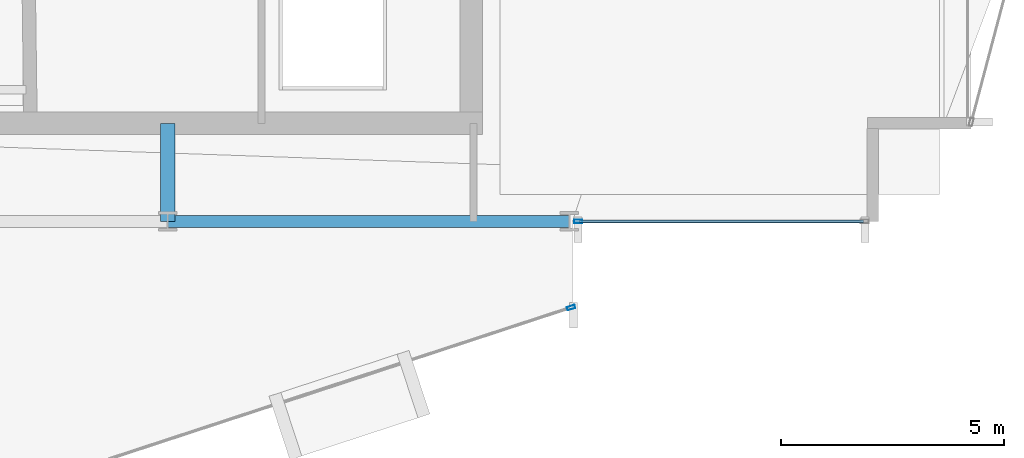
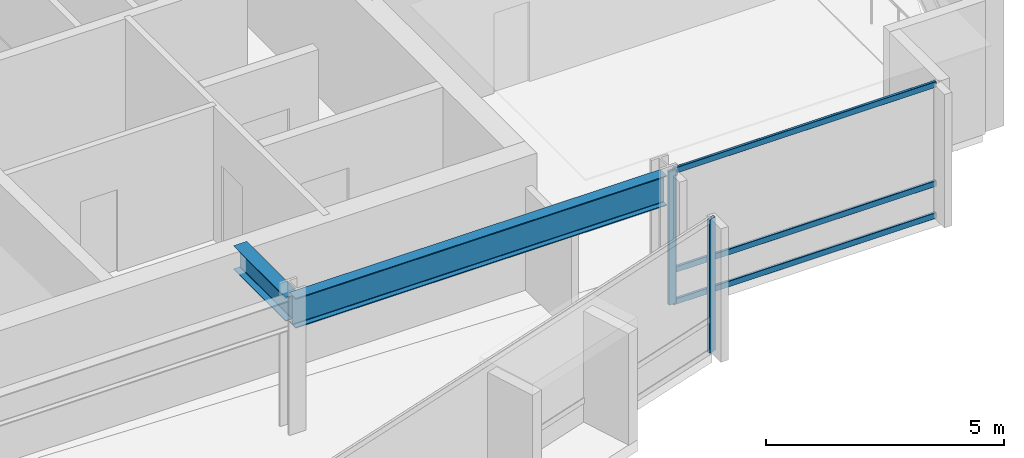
# One storey, part 10 of 28: 5 members, 2 beams, 2 elements without a shape of their own.
"""IFC4 building model written with IfcOpenShell, lengths in metres."""

from ifc_helpers import new_model, si_unit, direction, frame, origin, origin_2d, place, context, subcontext, project, spatial, hollow_rectangle, i_section, extrude, material, layer, layer_set, material_profile, profile_set, type_object, element, aggregate, save


model = new_model("IFC4")

# Units and contexts
model_context = context("Model", 3, precision=1e-05, world=origin(), true_north=direction((0.0, 1.0)))
body_context = subcontext(model_context, "Body", "Model", "MODEL_VIEW")
ifc_project = project(units=[si_unit("LENGTHUNIT", "METRE"), si_unit("AREAUNIT", "SQUARE_METRE"), si_unit("VOLUMEUNIT", "CUBIC_METRE"), si_unit("PLANEANGLEUNIT", "RADIAN"), si_unit("MASSUNIT", "GRAM", prefix="KILO")], contexts=[model_context])

# Site, building, storey
site_placement = place(None, origin())
site = spatial("IfcSite", under=ifc_project, at=site_placement, CompositionType="ELEMENT")
building_placement = place(site_placement, origin())
building = spatial("IfcBuilding", under=site, at=building_placement, Name="Solvaryn Broadcast Tower", CompositionType="ELEMENT")
storey_placement = place(building_placement, frame((0.0, 0.0, 150.699951171875)))
storey = spatial("IfcBuildingStorey", under=building, at=storey_placement, Name="L37", CompositionType="ELEMENT", Elevation=150.699951171875)

# Beams
ifc_material_1 = material(Name="Steel ASTM A992 Grade 50", Category="steel")
ifc_material_profile_1 = material_profile(ifc_material_1, i_section(OverallWidth=0.323974609375, OverallDepth=0.611083984375, WebThickness=0.0126953125, FlangeThickness=0.01904296875, FilletRadius=0.014892578125, at=origin_2d()))
ifc_profile_set_1 = profile_set([ifc_material_profile_1], Name="Steel ASTM A992 Grade 50")
beam_type_1 = type_object("IfcBeamType", Name="BM-B1-W24X104", PredefinedType="BEAM", material=ifc_profile_set_1)
beam_1_placement = place(storey_placement, frame((36.0, 9.0, 3.114501953125), z_axis=(0.0, 1.0, 0.0), x_axis=(-1.0, 0.0, 0.0)))
element("IfcBeam", 1, at=beam_1_placement, inside=storey, type_object=beam_type_1, Name="L37 Core Tie Beam CTE1", PredefinedType="BEAM", context=body_context, shape_type="SweptSolid", body=[
    extrude(i_section(OverallWidth=0.323974609375, OverallDepth=0.611083984375, WebThickness=0.0126953125, FlangeThickness=0.01904296875, FilletRadius=0.014892578125, at=origin_2d()), origin(), (0.0, 0.0, 1.0), 2.199951171875),
])
ifc_material_2 = material(Name="Steel ASTM A992 Grade 50", Category="steel")
ifc_material_profile_2 = material_profile(ifc_material_2, i_section(OverallWidth=0.26708984375, OverallDepth=0.76611328125, WebThickness=0.014892578125, FlangeThickness=0.023681640625, FilletRadius=0.01806640625, at=origin_2d()))
ifc_profile_set_2 = profile_set([ifc_material_profile_2], Name="Steel ASTM A992 Grade 50")
beam_type_2 = type_object("IfcBeamType", Name="BM-SP2-W30X124", PredefinedType="USERDEFINED", material=ifc_profile_set_2)
beam_2_placement = place(storey_placement, frame((36.0, 9.0, 3.037109375), z_axis=(1.0, 0.0, 0.0), x_axis=(0.0, 1.0, 0.0)))
element("IfcBeam", 2, at=beam_2_placement, inside=storey, type_object=beam_type_2, Name="L37 Spandrel Beam X (36-45 @ Y=9)", ObjectType="SPANDREL", PredefinedType="USERDEFINED", context=body_context, shape_type="SweptSolid", body=[
    extrude(i_section(OverallWidth=0.26708984375, OverallDepth=0.76611328125, WebThickness=0.014892578125, FlangeThickness=0.023681640625, FilletRadius=0.01806640625, at=origin_2d()), origin(), (0.0, 0.0, 1.0), 9.0),
])

# Curtain wall, member
ifc_material_3 = material(Name="Aluminium and Terracotta Unitised Curtain Wall", Category="masonry")
ifc_layer = layer(ifc_material_3, 0.199951171875)
ifc_layer_set = layer_set([ifc_layer], Name="CW-SYS2-LOWMID")
curtain_wall_type = type_object("IfcCurtainWallType", Name="CW-SYS2-LOWMID", PredefinedType="NOTDEFINED", material=ifc_layer_set)
curtain_wall_1_placement = place(storey_placement, origin())
curtain_wall_1 = element("IfcCurtainWall", 3, at=curtain_wall_1_placement, inside=storey, type_object=curtain_wall_type, Name="L37 Curtain Wall DR4", PredefinedType="NOTDEFINED")
ifc_material_4 = material(Name="Anodised Aluminium 6063-T6", Category="aluminium")
ifc_material_profile_3 = material_profile(ifc_material_4, hollow_rectangle(XDim=0.074951171875, YDim=0.179931640625, WallThickness=0.00390625, InnerFilletRadius=0.00390625, OuterFilletRadius=0.008056640625, at=origin_2d()))
ifc_profile_set_3 = profile_set([ifc_material_profile_3], Name="Anodised Aluminium 6063-T6")
member_type_1 = type_object("IfcMemberType", Name="CW-MUL-180", PredefinedType="MULLION", material=ifc_profile_set_3)
member_1_placement = place(storey_placement, frame((45.03857421875, 7.069580078125, 0.0), z_axis=(0.0, 0.0, 1.0), x_axis=(-0.311646057547, 0.950198260794, 0.0)))
member_1 = element("IfcMember", 4, at=member_1_placement, type_object=member_type_1, Name="CWS2 mullion 2", PredefinedType="MULLION", context=body_context, shape_type="SweptSolid", body=[
    extrude(hollow_rectangle(XDim=0.074951171875, YDim=0.179931640625, WallThickness=0.00390625, InnerFilletRadius=0.00390625, OuterFilletRadius=0.008056640625, at=origin_2d()), origin(), (0.0, 0.0, 1.0), 3.420166015625),
])
aggregate(curtain_wall_1, [member_1])

# Curtain wall, members
curtain_wall_2_placement = place(storey_placement, origin())
curtain_wall_2 = element("IfcCurtainWall", 5, at=curtain_wall_2_placement, inside=storey, type_object=curtain_wall_type, Name="L37 Curtain Wall S2", PredefinedType="NOTDEFINED")
member_2_placement = place(storey_placement, frame((45.197021484375, 9.0, 0.0), z_axis=(0.0, 0.0, 1.0), x_axis=(0.0, 1.0, 0.0)))
member_2 = element("IfcMember", 6, at=member_2_placement, type_object=member_type_1, Name="CWS2 mullion 1", PredefinedType="MULLION", context=body_context, shape_type="SweptSolid", body=[
    extrude(hollow_rectangle(XDim=0.074951171875, YDim=0.179931640625, WallThickness=0.00390625, InnerFilletRadius=0.00390625, OuterFilletRadius=0.008056640625, at=origin_2d()), origin(), (0.0, 0.0, 1.0), 3.420166015625),
])
ifc_material_5 = material(Name="Anodised Aluminium 6063-T6", Category="aluminium")
ifc_material_profile_4 = material_profile(ifc_material_5, hollow_rectangle(XDim=0.06494140625, YDim=0.14990234375, WallThickness=0.00390625, InnerFilletRadius=0.00390625, OuterFilletRadius=0.008056640625, at=origin_2d()))
ifc_profile_set_4 = profile_set([ifc_material_profile_4], Name="Anodised Aluminium 6063-T6")
member_type_2 = type_object("IfcMemberType", Name="CW-TRN-150", PredefinedType="USERDEFINED", material=ifc_profile_set_4)
member_3_placement = place(storey_placement, frame((45.22705078125, 9.0, 0.030029296875), z_axis=(1.0, 0.0, 0.0), x_axis=(0.0, 1.0, 0.0)))
member_3 = element("IfcMember", 7, at=member_3_placement, type_object=member_type_2, Name="CWS2 transom 1.1", ObjectType="TRANSOM", PredefinedType="USERDEFINED", context=body_context, shape_type="SweptSolid", body=[
    extrude(hollow_rectangle(XDim=0.06494140625, YDim=0.14990234375, WallThickness=0.00390625, InnerFilletRadius=0.00390625, OuterFilletRadius=0.008056640625, at=origin_2d()), origin(), (0.0, 0.0, 1.0), 6.363037109375),
])
member_4_placement = place(storey_placement, frame((45.22705078125, 9.0, 0.85009765625), z_axis=(1.0, 0.0, 0.0), x_axis=(0.0, 1.0, 0.0)))
member_4 = element("IfcMember", 8, at=member_4_placement, type_object=member_type_2, Name="CWS2 transom 1.2", ObjectType="TRANSOM", PredefinedType="USERDEFINED", context=body_context, shape_type="SweptSolid", body=[
    extrude(hollow_rectangle(XDim=0.06494140625, YDim=0.14990234375, WallThickness=0.00390625, InnerFilletRadius=0.00390625, OuterFilletRadius=0.008056640625, at=origin_2d()), origin(), (0.0, 0.0, 1.0), 6.363037109375),
])
member_5_placement = place(storey_placement, frame((45.22705078125, 9.0, 3.39013671875), z_axis=(1.0, 0.0, 0.0), x_axis=(0.0, 1.0, 0.0)))
member_5 = element("IfcMember", 9, at=member_5_placement, type_object=member_type_2, Name="CWS2 transom 1.3", ObjectType="TRANSOM", PredefinedType="USERDEFINED", context=body_context, shape_type="SweptSolid", body=[
    extrude(hollow_rectangle(XDim=0.06494140625, YDim=0.14990234375, WallThickness=0.00390625, InnerFilletRadius=0.00390625, OuterFilletRadius=0.008056640625, at=origin_2d()), origin(), (0.0, 0.0, 1.0), 6.363037109375),
])
aggregate(curtain_wall_2, [member_2, member_3, member_4, member_5])

save(model, "model.ifc")
